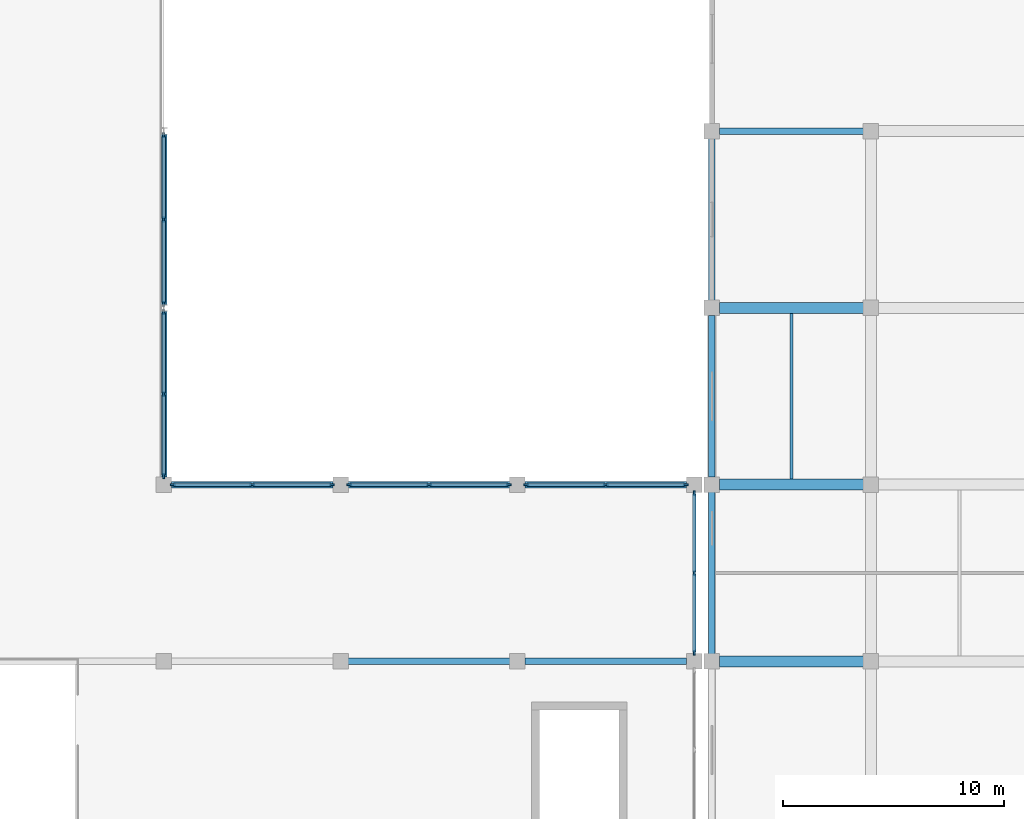
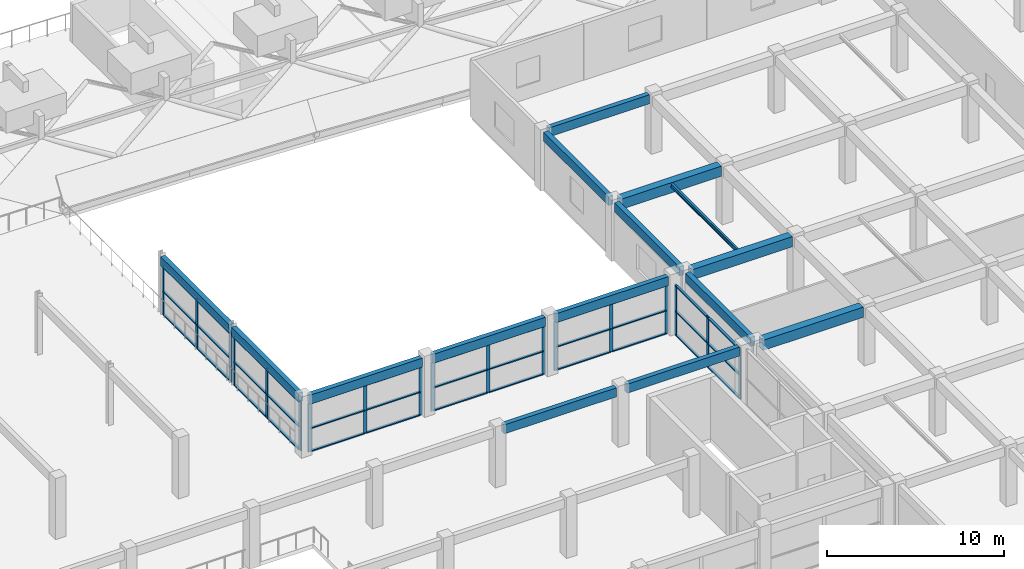
# One storey, part 15 of 67: 54 members, 15 beams, 6 elements without a shape of their own.
"""IFC4 building model written with IfcOpenShell, lengths in metres."""

from ifc_helpers import new_model, si_unit, direction, frame, origin, origin_2d, place, context, subcontext, project, spatial, rectangle, i_section, extrude, material, material_profile, profile_set, type_object, element, aggregate, save


model = new_model("IFC4")

# Units and contexts
model_context = context("Model", 3, precision=1e-05, world=origin(), true_north=direction((0.0, 1.0)))
body_context = subcontext(model_context, "Body", "Model", "MODEL_VIEW")
ifc_project = project(units=[si_unit("LENGTHUNIT", "METRE"), si_unit("AREAUNIT", "SQUARE_METRE"), si_unit("VOLUMEUNIT", "CUBIC_METRE"), si_unit("PLANEANGLEUNIT", "RADIAN"), si_unit("MASSUNIT", "GRAM", prefix="KILO")], contexts=[model_context])

# Site, building, storey
site_placement = place(None, origin())
site = spatial("IfcSite", under=ifc_project, at=site_placement, CompositionType="ELEMENT")
building_placement = place(site_placement, origin())
building = spatial("IfcBuilding", under=site, at=building_placement, Name="Kenh Van Central Station", CompositionType="ELEMENT")
storey_placement = place(building_placement, frame((0.0, 0.0, 10.800048828125)))
storey = spatial("IfcBuildingStorey", under=building, at=storey_placement, Name="L02", CompositionType="ELEMENT", Elevation=10.800048828125)

# Beams
ifc_material_1 = material(Name="Concrete C35/45", Category="concrete")
ifc_material_profile_1 = material_profile(ifc_material_1, rectangle(XDim=0.5, YDim=0.699951171875, at=origin_2d()), Name="RC 500x700")
ifc_profile_set_1 = profile_set([ifc_material_profile_1], Name="Concrete C35/45")
beam_type_1 = type_object("IfcBeamType", Name="BM-RC-500x700", PredefinedType="BEAM", material=ifc_profile_set_1)
for number, where, z_axis, x_axis, name in (
    (1, (121.139892578125, 32.0, 3.635009765625), (1.0, 0.0, 0.0), (0.0, 1.0, 0.0), "L02 beam 0957"),
    (2, (121.139892578125, 40.0, 3.635009765625), (1.0, 0.0, 0.0), (0.0, 1.0, 0.0), "L02 beam 0967"),
    (3, (121.139892578125, 48.0, 3.635009765625), (1.0, 0.0, 0.0), (0.0, 1.0, 0.0), "L02 beam 0974"),
):
    element("IfcBeam", number, at=place(storey_placement, frame(where, z_axis=z_axis, x_axis=x_axis)), inside=storey, type_object=beam_type_1, Name=name, PredefinedType="BEAM", context=body_context, shape_type="SweptSolid", body=[
        extrude(rectangle(XDim=0.5, YDim=0.699951171875, at=origin_2d()), origin(), (0.0, 0.0, 1.0), 6.52001953125),
    ])

# Curtain wall, members
ifc_material_2 = material(Name="Champagne anodised aluminium", Category="aluminium")
curtain_wall_type = type_object("IfcCurtainWallType", Name="CW-CONC-B", PredefinedType="NOTDEFINED", material=ifc_material_2)
curtain_wall_1_placement = place(storey_placement, origin())
curtain_wall_1 = element("IfcCurtainWall", 4, at=curtain_wall_1_placement, inside=storey, type_object=curtain_wall_type, Name="L02 curtain wall 175", PredefinedType="NOTDEFINED")
ifc_material_profile_2 = material_profile(ifc_material_2, rectangle(XDim=0.0849609375, YDim=0.23193359375, at=origin_2d()), Name="AL 85x232")
ifc_profile_set_2 = profile_set([ifc_material_profile_2], Name="Champagne anodised aluminium")
member_type_1 = type_object("IfcMemberType", Name="CWM-65x160", PredefinedType="MULLION", material=ifc_profile_set_2)
member_1_placement = place(storey_placement, frame((96.0, 40.392578125, 0.0), z_axis=(0.0, 0.0, 1.0), x_axis=(-1.0, 0.0, 0.0)))
member_1 = element("IfcMember", 5, at=member_1_placement, type_object=member_type_1, Name="CW-04 mullion 1", PredefinedType="MULLION", context=body_context, shape_type="SweptSolid", body=[
    extrude(rectangle(XDim=0.0849609375, YDim=0.23193359375, at=origin_2d()), origin(), (0.0, 0.0, 1.0), 3.35986328125),
])
member_2_placement = place(storey_placement, frame((96.0, 44.10009765625, 0.0), z_axis=(0.0, 0.0, 1.0), x_axis=(-1.0, 0.0, 0.0)))
member_2 = element("IfcMember", 6, at=member_2_placement, type_object=member_type_1, Name="CW-04 mullion 2", PredefinedType="MULLION", context=body_context, shape_type="SweptSolid", body=[
    extrude(rectangle(XDim=0.0849609375, YDim=0.23193359375, at=origin_2d()), origin(), (0.0, 0.0, 1.0), 3.35986328125),
])
member_3_placement = place(storey_placement, frame((96.0, 47.8076171875, 0.0), z_axis=(0.0, 0.0, 1.0), x_axis=(-1.0, 0.0, 0.0)))
member_3 = element("IfcMember", 7, at=member_3_placement, type_object=member_type_1, Name="CW-04 mullion 3", PredefinedType="MULLION", context=body_context, shape_type="SweptSolid", body=[
    extrude(rectangle(XDim=0.0849609375, YDim=0.23193359375, at=origin_2d()), origin(), (0.0, 0.0, 1.0), 3.35986328125),
])

curtain_wall_2_placement = place(storey_placement, origin())
curtain_wall_2 = element("IfcCurtainWall", 8, at=curtain_wall_2_placement, inside=storey, type_object=curtain_wall_type, Name="L02 curtain wall 176", PredefinedType="NOTDEFINED")
member_4_placement = place(storey_placement, frame((96.0, 48.1923828125, 0.0), z_axis=(0.0, 0.0, 1.0), x_axis=(-1.0, 0.0, 0.0)))
member_4 = element("IfcMember", 9, at=member_4_placement, type_object=member_type_1, Name="CW-04 mullion 1", PredefinedType="MULLION", context=body_context, shape_type="SweptSolid", body=[
    extrude(rectangle(XDim=0.0849609375, YDim=0.23193359375, at=origin_2d()), origin(), (0.0, 0.0, 1.0), 3.35986328125),
])
member_5_placement = place(storey_placement, frame((96.0, 52.0, 0.0), z_axis=(0.0, 0.0, 1.0), x_axis=(-1.0, 0.0, 0.0)))
member_5 = element("IfcMember", 10, at=member_5_placement, type_object=member_type_1, Name="CW-04 mullion 2", PredefinedType="MULLION", context=body_context, shape_type="SweptSolid", body=[
    extrude(rectangle(XDim=0.0849609375, YDim=0.23193359375, at=origin_2d()), origin(), (0.0, 0.0, 1.0), 3.35986328125),
])
member_6_placement = place(storey_placement, frame((96.0, 55.8076171875, 0.0), z_axis=(0.0, 0.0, 1.0), x_axis=(-1.0, 0.0, 0.0)))
member_6 = element("IfcMember", 11, at=member_6_placement, type_object=member_type_1, Name="CW-04 mullion 3", PredefinedType="MULLION", context=body_context, shape_type="SweptSolid", body=[
    extrude(rectangle(XDim=0.0849609375, YDim=0.23193359375, at=origin_2d()), origin(), (0.0, 0.0, 1.0), 3.35986328125),
])

curtain_wall_3_placement = place(storey_placement, origin())
curtain_wall_3 = element("IfcCurtainWall", 12, at=curtain_wall_3_placement, inside=storey, type_object=curtain_wall_type, Name="L02 curtain wall 170", PredefinedType="NOTDEFINED")
ifc_material_profile_3 = material_profile(ifc_material_2, rectangle(XDim=0.08203125, YDim=0.22509765625, at=origin_2d()), Name="AL 82x225")
ifc_profile_set_3 = profile_set([ifc_material_profile_3], Name="Champagne anodised aluminium")
member_type_2 = type_object("IfcMemberType", Name="CWM-70x180", PredefinedType="MULLION", material=ifc_profile_set_3)
member_7_placement = place(storey_placement, frame((119.60888671875, 40.0, 0.0), z_axis=(0.0, 0.0, 1.0), x_axis=(0.0, -1.0, 0.0)))
member_7 = element("IfcMember", 13, at=member_7_placement, type_object=member_type_2, Name="CW-04 mullion 1", PredefinedType="MULLION", context=body_context, shape_type="SweptSolid", body=[
    extrude(rectangle(XDim=0.08203125, YDim=0.22509765625, at=origin_2d()), origin(), (0.0, 0.0, 1.0), 3.35986328125),
])
member_8_placement = place(storey_placement, frame((116.0, 40.0, 0.0), z_axis=(0.0, 0.0, 1.0), x_axis=(0.0, -1.0, 0.0)))
member_8 = element("IfcMember", 14, at=member_8_placement, type_object=member_type_2, Name="CW-04 mullion 2", PredefinedType="MULLION", context=body_context, shape_type="SweptSolid", body=[
    extrude(rectangle(XDim=0.08203125, YDim=0.22509765625, at=origin_2d()), origin(), (0.0, 0.0, 1.0), 3.35986328125),
])
member_9_placement = place(storey_placement, frame((112.39111328125, 40.0, 0.0), z_axis=(0.0, 0.0, 1.0), x_axis=(0.0, -1.0, 0.0)))
member_9 = element("IfcMember", 15, at=member_9_placement, type_object=member_type_2, Name="CW-04 mullion 3", PredefinedType="MULLION", context=body_context, shape_type="SweptSolid", body=[
    extrude(rectangle(XDim=0.08203125, YDim=0.22509765625, at=origin_2d()), origin(), (0.0, 0.0, 1.0), 3.35986328125),
])

curtain_wall_4_placement = place(storey_placement, origin())
curtain_wall_4 = element("IfcCurtainWall", 16, at=curtain_wall_4_placement, inside=storey, type_object=curtain_wall_type, Name="L02 curtain wall 171", PredefinedType="NOTDEFINED")
member_10_placement = place(storey_placement, frame((111.60888671875, 40.0, 0.0), z_axis=(0.0, 0.0, 1.0), x_axis=(0.0, -1.0, 0.0)))
member_10 = element("IfcMember", 17, at=member_10_placement, type_object=member_type_2, Name="CW-04 mullion 1", PredefinedType="MULLION", context=body_context, shape_type="SweptSolid", body=[
    extrude(rectangle(XDim=0.08203125, YDim=0.22509765625, at=origin_2d()), origin(), (0.0, 0.0, 1.0), 3.35986328125),
])
member_11_placement = place(storey_placement, frame((108.0, 40.0, 0.0), z_axis=(0.0, 0.0, 1.0), x_axis=(0.0, -1.0, 0.0)))
member_11 = element("IfcMember", 18, at=member_11_placement, type_object=member_type_2, Name="CW-04 mullion 2", PredefinedType="MULLION", context=body_context, shape_type="SweptSolid", body=[
    extrude(rectangle(XDim=0.08203125, YDim=0.22509765625, at=origin_2d()), origin(), (0.0, 0.0, 1.0), 3.35986328125),
])
member_12_placement = place(storey_placement, frame((104.39111328125, 40.0, 0.0), z_axis=(0.0, 0.0, 1.0), x_axis=(0.0, -1.0, 0.0)))
member_12 = element("IfcMember", 19, at=member_12_placement, type_object=member_type_2, Name="CW-04 mullion 3", PredefinedType="MULLION", context=body_context, shape_type="SweptSolid", body=[
    extrude(rectangle(XDim=0.08203125, YDim=0.22509765625, at=origin_2d()), origin(), (0.0, 0.0, 1.0), 3.35986328125),
])

curtain_wall_5_placement = place(storey_placement, origin())
curtain_wall_5 = element("IfcCurtainWall", 20, at=curtain_wall_5_placement, inside=storey, type_object=curtain_wall_type, Name="L02 curtain wall 172", PredefinedType="NOTDEFINED")
member_13_placement = place(storey_placement, frame((103.60888671875, 40.0, 0.0), z_axis=(0.0, 0.0, 1.0), x_axis=(0.0, -1.0, 0.0)))
member_13 = element("IfcMember", 21, at=member_13_placement, type_object=member_type_2, Name="CW-04 mullion 1", PredefinedType="MULLION", context=body_context, shape_type="SweptSolid", body=[
    extrude(rectangle(XDim=0.08203125, YDim=0.22509765625, at=origin_2d()), origin(), (0.0, 0.0, 1.0), 3.35986328125),
])
member_14_placement = place(storey_placement, frame((100.0, 40.0, 0.0), z_axis=(0.0, 0.0, 1.0), x_axis=(0.0, -1.0, 0.0)))
member_14 = element("IfcMember", 22, at=member_14_placement, type_object=member_type_2, Name="CW-04 mullion 2", PredefinedType="MULLION", context=body_context, shape_type="SweptSolid", body=[
    extrude(rectangle(XDim=0.08203125, YDim=0.22509765625, at=origin_2d()), origin(), (0.0, 0.0, 1.0), 3.35986328125),
])
member_15_placement = place(storey_placement, frame((96.39111328125, 40.0, 0.0), z_axis=(0.0, 0.0, 1.0), x_axis=(0.0, -1.0, 0.0)))
member_15 = element("IfcMember", 23, at=member_15_placement, type_object=member_type_2, Name="CW-04 mullion 3", PredefinedType="MULLION", context=body_context, shape_type="SweptSolid", body=[
    extrude(rectangle(XDim=0.08203125, YDim=0.22509765625, at=origin_2d()), origin(), (0.0, 0.0, 1.0), 3.35986328125),
])

curtain_wall_6_placement = place(storey_placement, origin())
curtain_wall_6 = element("IfcCurtainWall", 24, at=curtain_wall_6_placement, inside=storey, type_object=curtain_wall_type, Name="L02 curtain wall 179", PredefinedType="NOTDEFINED")
member_16_placement = place(storey_placement, frame((120.0, 32.39111328125, 0.0), z_axis=(0.0, 0.0, 1.0), x_axis=(-1.0, 0.0, 0.0)))
member_16 = element("IfcMember", 25, at=member_16_placement, type_object=member_type_2, Name="CW-04 mullion 1", PredefinedType="MULLION", context=body_context, shape_type="SweptSolid", body=[
    extrude(rectangle(XDim=0.08203125, YDim=0.22509765625, at=origin_2d()), origin(), (0.0, 0.0, 1.0), 3.443359375),
])
member_17_placement = place(storey_placement, frame((120.0, 36.0, 0.0), z_axis=(0.0, 0.0, 1.0), x_axis=(-1.0, 0.0, 0.0)))
member_17 = element("IfcMember", 26, at=member_17_placement, type_object=member_type_2, Name="CW-04 mullion 2", PredefinedType="MULLION", context=body_context, shape_type="SweptSolid", body=[
    extrude(rectangle(XDim=0.08203125, YDim=0.22509765625, at=origin_2d()), origin(), (0.0, 0.0, 1.0), 3.443359375),
])
member_18_placement = place(storey_placement, frame((120.0, 39.60888671875, 0.0), z_axis=(0.0, 0.0, 1.0), x_axis=(-1.0, 0.0, 0.0)))
member_18 = element("IfcMember", 27, at=member_18_placement, type_object=member_type_2, Name="CW-04 mullion 3", PredefinedType="MULLION", context=body_context, shape_type="SweptSolid", body=[
    extrude(rectangle(XDim=0.08203125, YDim=0.22509765625, at=origin_2d()), origin(), (0.0, 0.0, 1.0), 3.443359375),
])

# Member
ifc_material_profile_4 = material_profile(ifc_material_2, rectangle(XDim=0.155029296875, YDim=0.072021484375, at=origin_2d()), Name="AL 155x72")
ifc_profile_set_4 = profile_set([ifc_material_profile_4], Name="Champagne anodised aluminium")
member_type_3 = type_object("IfcMemberType", Name="CWT-120x60", PredefinedType="USERDEFINED", material=ifc_profile_set_4)
member_19_placement = place(storey_placement, frame((119.568115234375, 40.0, 0.035888671875), z_axis=(-1.0, 0.0, 0.0), x_axis=(0.0, -1.0, 0.0)))
member_19 = element("IfcMember", 28, at=member_19_placement, type_object=member_type_3, Name="CW-04 transom 1.1", ObjectType="TRANSOM", PredefinedType="USERDEFINED", context=body_context, shape_type="SweptSolid", body=[
    extrude(rectangle(XDim=0.155029296875, YDim=0.072021484375, at=origin_2d()), origin(), (0.0, 0.0, 1.0), 3.527099609375),
])

member_20_placement = place(storey_placement, frame((119.568115234375, 40.0, 1.61279296875), z_axis=(-1.0, 0.0, 0.0), x_axis=(0.0, -1.0, 0.0)))
member_20 = element("IfcMember", 29, at=member_20_placement, type_object=member_type_3, Name="CW-04 transom 1.2", ObjectType="TRANSOM", PredefinedType="USERDEFINED", context=body_context, shape_type="SweptSolid", body=[
    extrude(rectangle(XDim=0.155029296875, YDim=0.072021484375, at=origin_2d()), origin(), (0.0, 0.0, 1.0), 3.527099609375),
])

member_21_placement = place(storey_placement, frame((119.568115234375, 40.0, 3.323974609375), z_axis=(-1.0, 0.0, 0.0), x_axis=(0.0, -1.0, 0.0)))
member_21 = element("IfcMember", 30, at=member_21_placement, type_object=member_type_3, Name="CW-04 transom 1.3", ObjectType="TRANSOM", PredefinedType="USERDEFINED", context=body_context, shape_type="SweptSolid", body=[
    extrude(rectangle(XDim=0.155029296875, YDim=0.072021484375, at=origin_2d()), origin(), (0.0, 0.0, 1.0), 3.527099609375),
])

member_22_placement = place(storey_placement, frame((115.958984375, 40.0, 0.035888671875), z_axis=(-1.0, 0.0, 0.0), x_axis=(0.0, -1.0, 0.0)))
member_22 = element("IfcMember", 31, at=member_22_placement, type_object=member_type_3, Name="CW-04 transom 2.1", ObjectType="TRANSOM", PredefinedType="USERDEFINED", context=body_context, shape_type="SweptSolid", body=[
    extrude(rectangle(XDim=0.155029296875, YDim=0.072021484375, at=origin_2d()), origin(), (0.0, 0.0, 1.0), 3.527099609375),
])

member_23_placement = place(storey_placement, frame((115.958984375, 40.0, 1.61279296875), z_axis=(-1.0, 0.0, 0.0), x_axis=(0.0, -1.0, 0.0)))
member_23 = element("IfcMember", 32, at=member_23_placement, type_object=member_type_3, Name="CW-04 transom 2.2", ObjectType="TRANSOM", PredefinedType="USERDEFINED", context=body_context, shape_type="SweptSolid", body=[
    extrude(rectangle(XDim=0.155029296875, YDim=0.072021484375, at=origin_2d()), origin(), (0.0, 0.0, 1.0), 3.527099609375),
])

member_24_placement = place(storey_placement, frame((115.958984375, 40.0, 3.323974609375), z_axis=(-1.0, 0.0, 0.0), x_axis=(0.0, -1.0, 0.0)))
member_24 = element("IfcMember", 33, at=member_24_placement, type_object=member_type_3, Name="CW-04 transom 2.3", ObjectType="TRANSOM", PredefinedType="USERDEFINED", context=body_context, shape_type="SweptSolid", body=[
    extrude(rectangle(XDim=0.155029296875, YDim=0.072021484375, at=origin_2d()), origin(), (0.0, 0.0, 1.0), 3.527099609375),
])

aggregate(curtain_wall_3, [member_7, member_8, member_9, member_19, member_20, member_21, member_22, member_23, member_24])

member_25_placement = place(storey_placement, frame((111.568115234375, 40.0, 0.035888671875), z_axis=(-1.0, 0.0, 0.0), x_axis=(0.0, -1.0, 0.0)))
member_25 = element("IfcMember", 34, at=member_25_placement, type_object=member_type_3, Name="CW-04 transom 1.1", ObjectType="TRANSOM", PredefinedType="USERDEFINED", context=body_context, shape_type="SweptSolid", body=[
    extrude(rectangle(XDim=0.155029296875, YDim=0.072021484375, at=origin_2d()), origin(), (0.0, 0.0, 1.0), 3.527099609375),
])

member_26_placement = place(storey_placement, frame((111.568115234375, 40.0, 1.61279296875), z_axis=(-1.0, 0.0, 0.0), x_axis=(0.0, -1.0, 0.0)))
member_26 = element("IfcMember", 35, at=member_26_placement, type_object=member_type_3, Name="CW-04 transom 1.2", ObjectType="TRANSOM", PredefinedType="USERDEFINED", context=body_context, shape_type="SweptSolid", body=[
    extrude(rectangle(XDim=0.155029296875, YDim=0.072021484375, at=origin_2d()), origin(), (0.0, 0.0, 1.0), 3.527099609375),
])

member_27_placement = place(storey_placement, frame((111.568115234375, 40.0, 3.323974609375), z_axis=(-1.0, 0.0, 0.0), x_axis=(0.0, -1.0, 0.0)))
member_27 = element("IfcMember", 36, at=member_27_placement, type_object=member_type_3, Name="CW-04 transom 1.3", ObjectType="TRANSOM", PredefinedType="USERDEFINED", context=body_context, shape_type="SweptSolid", body=[
    extrude(rectangle(XDim=0.155029296875, YDim=0.072021484375, at=origin_2d()), origin(), (0.0, 0.0, 1.0), 3.527099609375),
])

member_28_placement = place(storey_placement, frame((107.958984375, 40.0, 0.035888671875), z_axis=(-1.0, 0.0, 0.0), x_axis=(0.0, -1.0, 0.0)))
member_28 = element("IfcMember", 37, at=member_28_placement, type_object=member_type_3, Name="CW-04 transom 2.1", ObjectType="TRANSOM", PredefinedType="USERDEFINED", context=body_context, shape_type="SweptSolid", body=[
    extrude(rectangle(XDim=0.155029296875, YDim=0.072021484375, at=origin_2d()), origin(), (0.0, 0.0, 1.0), 3.527099609375),
])

member_29_placement = place(storey_placement, frame((107.958984375, 40.0, 1.61279296875), z_axis=(-1.0, 0.0, 0.0), x_axis=(0.0, -1.0, 0.0)))
member_29 = element("IfcMember", 38, at=member_29_placement, type_object=member_type_3, Name="CW-04 transom 2.2", ObjectType="TRANSOM", PredefinedType="USERDEFINED", context=body_context, shape_type="SweptSolid", body=[
    extrude(rectangle(XDim=0.155029296875, YDim=0.072021484375, at=origin_2d()), origin(), (0.0, 0.0, 1.0), 3.527099609375),
])

member_30_placement = place(storey_placement, frame((107.958984375, 40.0, 3.323974609375), z_axis=(-1.0, 0.0, 0.0), x_axis=(0.0, -1.0, 0.0)))
member_30 = element("IfcMember", 39, at=member_30_placement, type_object=member_type_3, Name="CW-04 transom 2.3", ObjectType="TRANSOM", PredefinedType="USERDEFINED", context=body_context, shape_type="SweptSolid", body=[
    extrude(rectangle(XDim=0.155029296875, YDim=0.072021484375, at=origin_2d()), origin(), (0.0, 0.0, 1.0), 3.527099609375),
])

aggregate(curtain_wall_4, [member_10, member_11, member_12, member_25, member_26, member_27, member_28, member_29, member_30])

member_31_placement = place(storey_placement, frame((103.568115234375, 40.0, 0.035888671875), z_axis=(-1.0, 0.0, 0.0), x_axis=(0.0, -1.0, 0.0)))
member_31 = element("IfcMember", 40, at=member_31_placement, type_object=member_type_3, Name="CW-04 transom 1.1", ObjectType="TRANSOM", PredefinedType="USERDEFINED", context=body_context, shape_type="SweptSolid", body=[
    extrude(rectangle(XDim=0.155029296875, YDim=0.072021484375, at=origin_2d()), origin(), (0.0, 0.0, 1.0), 3.527099609375),
])

member_32_placement = place(storey_placement, frame((103.568115234375, 40.0, 1.61279296875), z_axis=(-1.0, 0.0, 0.0), x_axis=(0.0, -1.0, 0.0)))
member_32 = element("IfcMember", 41, at=member_32_placement, type_object=member_type_3, Name="CW-04 transom 1.2", ObjectType="TRANSOM", PredefinedType="USERDEFINED", context=body_context, shape_type="SweptSolid", body=[
    extrude(rectangle(XDim=0.155029296875, YDim=0.072021484375, at=origin_2d()), origin(), (0.0, 0.0, 1.0), 3.527099609375),
])

member_33_placement = place(storey_placement, frame((103.568115234375, 40.0, 3.323974609375), z_axis=(-1.0, 0.0, 0.0), x_axis=(0.0, -1.0, 0.0)))
member_33 = element("IfcMember", 42, at=member_33_placement, type_object=member_type_3, Name="CW-04 transom 1.3", ObjectType="TRANSOM", PredefinedType="USERDEFINED", context=body_context, shape_type="SweptSolid", body=[
    extrude(rectangle(XDim=0.155029296875, YDim=0.072021484375, at=origin_2d()), origin(), (0.0, 0.0, 1.0), 3.527099609375),
])

member_34_placement = place(storey_placement, frame((99.958984375, 40.0, 0.035888671875), z_axis=(-1.0, 0.0, 0.0), x_axis=(0.0, -1.0, 0.0)))
member_34 = element("IfcMember", 43, at=member_34_placement, type_object=member_type_3, Name="CW-04 transom 2.1", ObjectType="TRANSOM", PredefinedType="USERDEFINED", context=body_context, shape_type="SweptSolid", body=[
    extrude(rectangle(XDim=0.155029296875, YDim=0.072021484375, at=origin_2d()), origin(), (0.0, 0.0, 1.0), 3.527099609375),
])

member_35_placement = place(storey_placement, frame((99.958984375, 40.0, 1.61279296875), z_axis=(-1.0, 0.0, 0.0), x_axis=(0.0, -1.0, 0.0)))
member_35 = element("IfcMember", 44, at=member_35_placement, type_object=member_type_3, Name="CW-04 transom 2.2", ObjectType="TRANSOM", PredefinedType="USERDEFINED", context=body_context, shape_type="SweptSolid", body=[
    extrude(rectangle(XDim=0.155029296875, YDim=0.072021484375, at=origin_2d()), origin(), (0.0, 0.0, 1.0), 3.527099609375),
])

member_36_placement = place(storey_placement, frame((99.958984375, 40.0, 3.323974609375), z_axis=(-1.0, 0.0, 0.0), x_axis=(0.0, -1.0, 0.0)))
member_36 = element("IfcMember", 45, at=member_36_placement, type_object=member_type_3, Name="CW-04 transom 2.3", ObjectType="TRANSOM", PredefinedType="USERDEFINED", context=body_context, shape_type="SweptSolid", body=[
    extrude(rectangle(XDim=0.155029296875, YDim=0.072021484375, at=origin_2d()), origin(), (0.0, 0.0, 1.0), 3.527099609375),
])

aggregate(curtain_wall_5, [member_13, member_14, member_15, member_31, member_32, member_33, member_34, member_35, member_36])

member_37_placement = place(storey_placement, frame((96.0, 40.43505859375, 0.035888671875), z_axis=(0.0, 1.0, 0.0), x_axis=(-1.0, 0.0, 0.0)))
member_37 = element("IfcMember", 46, at=member_37_placement, type_object=member_type_3, Name="CW-04 transom 1.1", ObjectType="TRANSOM", PredefinedType="USERDEFINED", context=body_context, shape_type="SweptSolid", body=[
    extrude(rectangle(XDim=0.155029296875, YDim=0.072021484375, at=origin_2d()), origin(), (0.0, 0.0, 1.0), 3.62255859375),
])

member_38_placement = place(storey_placement, frame((96.0, 40.43505859375, 1.61279296875), z_axis=(0.0, 1.0, 0.0), x_axis=(-1.0, 0.0, 0.0)))
member_38 = element("IfcMember", 47, at=member_38_placement, type_object=member_type_3, Name="CW-04 transom 1.2", ObjectType="TRANSOM", PredefinedType="USERDEFINED", context=body_context, shape_type="SweptSolid", body=[
    extrude(rectangle(XDim=0.155029296875, YDim=0.072021484375, at=origin_2d()), origin(), (0.0, 0.0, 1.0), 3.62255859375),
])

member_39_placement = place(storey_placement, frame((96.0, 40.43505859375, 3.323974609375), z_axis=(0.0, 1.0, 0.0), x_axis=(-1.0, 0.0, 0.0)))
member_39 = element("IfcMember", 48, at=member_39_placement, type_object=member_type_3, Name="CW-04 transom 1.3", ObjectType="TRANSOM", PredefinedType="USERDEFINED", context=body_context, shape_type="SweptSolid", body=[
    extrude(rectangle(XDim=0.155029296875, YDim=0.072021484375, at=origin_2d()), origin(), (0.0, 0.0, 1.0), 3.62255859375),
])

member_40_placement = place(storey_placement, frame((96.0, 44.142578125, 0.035888671875), z_axis=(0.0, 1.0, 0.0), x_axis=(-1.0, 0.0, 0.0)))
member_40 = element("IfcMember", 49, at=member_40_placement, type_object=member_type_3, Name="CW-04 transom 2.1", ObjectType="TRANSOM", PredefinedType="USERDEFINED", context=body_context, shape_type="SweptSolid", body=[
    extrude(rectangle(XDim=0.155029296875, YDim=0.072021484375, at=origin_2d()), origin(), (0.0, 0.0, 1.0), 3.622314453125),
])

member_41_placement = place(storey_placement, frame((96.0, 44.142578125, 1.61279296875), z_axis=(0.0, 1.0, 0.0), x_axis=(-1.0, 0.0, 0.0)))
member_41 = element("IfcMember", 50, at=member_41_placement, type_object=member_type_3, Name="CW-04 transom 2.2", ObjectType="TRANSOM", PredefinedType="USERDEFINED", context=body_context, shape_type="SweptSolid", body=[
    extrude(rectangle(XDim=0.155029296875, YDim=0.072021484375, at=origin_2d()), origin(), (0.0, 0.0, 1.0), 3.622314453125),
])

member_42_placement = place(storey_placement, frame((96.0, 44.142578125, 3.323974609375), z_axis=(0.0, 1.0, 0.0), x_axis=(-1.0, 0.0, 0.0)))
member_42 = element("IfcMember", 51, at=member_42_placement, type_object=member_type_3, Name="CW-04 transom 2.3", ObjectType="TRANSOM", PredefinedType="USERDEFINED", context=body_context, shape_type="SweptSolid", body=[
    extrude(rectangle(XDim=0.155029296875, YDim=0.072021484375, at=origin_2d()), origin(), (0.0, 0.0, 1.0), 3.622314453125),
])

aggregate(curtain_wall_1, [member_1, member_2, member_3, member_37, member_38, member_39, member_40, member_41, member_42])

member_43_placement = place(storey_placement, frame((96.0, 48.235107421875, 0.035888671875), z_axis=(0.0, 1.0, 0.0), x_axis=(-1.0, 0.0, 0.0)))
member_43 = element("IfcMember", 52, at=member_43_placement, type_object=member_type_3, Name="CW-04 transom 1.1", ObjectType="TRANSOM", PredefinedType="USERDEFINED", context=body_context, shape_type="SweptSolid", body=[
    extrude(rectangle(XDim=0.155029296875, YDim=0.072021484375, at=origin_2d()), origin(), (0.0, 0.0, 1.0), 3.722412109375),
])

member_44_placement = place(storey_placement, frame((96.0, 48.235107421875, 1.61279296875), z_axis=(0.0, 1.0, 0.0), x_axis=(-1.0, 0.0, 0.0)))
member_44 = element("IfcMember", 53, at=member_44_placement, type_object=member_type_3, Name="CW-04 transom 1.2", ObjectType="TRANSOM", PredefinedType="USERDEFINED", context=body_context, shape_type="SweptSolid", body=[
    extrude(rectangle(XDim=0.155029296875, YDim=0.072021484375, at=origin_2d()), origin(), (0.0, 0.0, 1.0), 3.722412109375),
])

member_45_placement = place(storey_placement, frame((96.0, 48.235107421875, 3.323974609375), z_axis=(0.0, 1.0, 0.0), x_axis=(-1.0, 0.0, 0.0)))
member_45 = element("IfcMember", 54, at=member_45_placement, type_object=member_type_3, Name="CW-04 transom 1.3", ObjectType="TRANSOM", PredefinedType="USERDEFINED", context=body_context, shape_type="SweptSolid", body=[
    extrude(rectangle(XDim=0.155029296875, YDim=0.072021484375, at=origin_2d()), origin(), (0.0, 0.0, 1.0), 3.722412109375),
])

member_46_placement = place(storey_placement, frame((96.0, 52.04248046875, 0.035888671875), z_axis=(0.0, 1.0, 0.0), x_axis=(-1.0, 0.0, 0.0)))
member_46 = element("IfcMember", 55, at=member_46_placement, type_object=member_type_3, Name="CW-04 transom 2.1", ObjectType="TRANSOM", PredefinedType="USERDEFINED", context=body_context, shape_type="SweptSolid", body=[
    extrude(rectangle(XDim=0.155029296875, YDim=0.072021484375, at=origin_2d()), origin(), (0.0, 0.0, 1.0), 3.722412109375),
])

member_47_placement = place(storey_placement, frame((96.0, 52.04248046875, 1.61279296875), z_axis=(0.0, 1.0, 0.0), x_axis=(-1.0, 0.0, 0.0)))
member_47 = element("IfcMember", 56, at=member_47_placement, type_object=member_type_3, Name="CW-04 transom 2.2", ObjectType="TRANSOM", PredefinedType="USERDEFINED", context=body_context, shape_type="SweptSolid", body=[
    extrude(rectangle(XDim=0.155029296875, YDim=0.072021484375, at=origin_2d()), origin(), (0.0, 0.0, 1.0), 3.722412109375),
])

member_48_placement = place(storey_placement, frame((96.0, 52.04248046875, 3.323974609375), z_axis=(0.0, 1.0, 0.0), x_axis=(-1.0, 0.0, 0.0)))
member_48 = element("IfcMember", 57, at=member_48_placement, type_object=member_type_3, Name="CW-04 transom 2.3", ObjectType="TRANSOM", PredefinedType="USERDEFINED", context=body_context, shape_type="SweptSolid", body=[
    extrude(rectangle(XDim=0.155029296875, YDim=0.072021484375, at=origin_2d()), origin(), (0.0, 0.0, 1.0), 3.722412109375),
])

aggregate(curtain_wall_2, [member_4, member_5, member_6, member_43, member_44, member_45, member_46, member_47, member_48])

member_49_placement = place(storey_placement, frame((120.0, 32.431884765625, 0.035888671875), z_axis=(0.0, 1.0, 0.0), x_axis=(-1.0, 0.0, 0.0)))
member_49 = element("IfcMember", 58, at=member_49_placement, type_object=member_type_3, Name="CW-04 transom 1.1", ObjectType="TRANSOM", PredefinedType="USERDEFINED", context=body_context, shape_type="SweptSolid", body=[
    extrude(rectangle(XDim=0.155029296875, YDim=0.072021484375, at=origin_2d()), origin(), (0.0, 0.0, 1.0), 3.527099609375),
])

member_50_placement = place(storey_placement, frame((120.0, 32.431884765625, 1.65283203125), z_axis=(0.0, 1.0, 0.0), x_axis=(-1.0, 0.0, 0.0)))
member_50 = element("IfcMember", 59, at=member_50_placement, type_object=member_type_3, Name="CW-04 transom 1.2", ObjectType="TRANSOM", PredefinedType="USERDEFINED", context=body_context, shape_type="SweptSolid", body=[
    extrude(rectangle(XDim=0.155029296875, YDim=0.072021484375, at=origin_2d()), origin(), (0.0, 0.0, 1.0), 3.527099609375),
])

member_51_placement = place(storey_placement, frame((120.0, 32.431884765625, 3.4072265625), z_axis=(0.0, 1.0, 0.0), x_axis=(-1.0, 0.0, 0.0)))
member_51 = element("IfcMember", 60, at=member_51_placement, type_object=member_type_3, Name="CW-04 transom 1.3", ObjectType="TRANSOM", PredefinedType="USERDEFINED", context=body_context, shape_type="SweptSolid", body=[
    extrude(rectangle(XDim=0.155029296875, YDim=0.072021484375, at=origin_2d()), origin(), (0.0, 0.0, 1.0), 3.527099609375),
])

member_52_placement = place(storey_placement, frame((120.0, 36.041015625, 0.035888671875), z_axis=(0.0, 1.0, 0.0), x_axis=(-1.0, 0.0, 0.0)))
member_52 = element("IfcMember", 61, at=member_52_placement, type_object=member_type_3, Name="CW-04 transom 2.1", ObjectType="TRANSOM", PredefinedType="USERDEFINED", context=body_context, shape_type="SweptSolid", body=[
    extrude(rectangle(XDim=0.155029296875, YDim=0.072021484375, at=origin_2d()), origin(), (0.0, 0.0, 1.0), 3.527099609375),
])

member_53_placement = place(storey_placement, frame((120.0, 36.041015625, 1.65283203125), z_axis=(0.0, 1.0, 0.0), x_axis=(-1.0, 0.0, 0.0)))
member_53 = element("IfcMember", 62, at=member_53_placement, type_object=member_type_3, Name="CW-04 transom 2.2", ObjectType="TRANSOM", PredefinedType="USERDEFINED", context=body_context, shape_type="SweptSolid", body=[
    extrude(rectangle(XDim=0.155029296875, YDim=0.072021484375, at=origin_2d()), origin(), (0.0, 0.0, 1.0), 3.527099609375),
])

member_54_placement = place(storey_placement, frame((120.0, 36.041015625, 3.4072265625), z_axis=(0.0, 1.0, 0.0), x_axis=(-1.0, 0.0, 0.0)))
member_54 = element("IfcMember", 63, at=member_54_placement, type_object=member_type_3, Name="CW-04 transom 2.3", ObjectType="TRANSOM", PredefinedType="USERDEFINED", context=body_context, shape_type="SweptSolid", body=[
    extrude(rectangle(XDim=0.155029296875, YDim=0.072021484375, at=origin_2d()), origin(), (0.0, 0.0, 1.0), 3.527099609375),
])

aggregate(curtain_wall_6, [member_16, member_17, member_18, member_49, member_50, member_51, member_52, member_53, member_54])

# Beams
ifc_material_3 = material(Name="Steel S355", Category="steel")
ifc_material_profile_5 = material_profile(ifc_material_3, i_section(OverallWidth=0.135009765625, OverallDepth=0.27001953125, WebThickness=0.006591796875, FlangeThickness=0.01025390625, FilletRadius=0.014892578125, at=origin_2d()), Name="IPE 270")
ifc_profile_set_5 = profile_set([ifc_material_profile_5], Name="Steel S355")
beam_type_2 = type_object("IfcBeamType", Name="JST-STL-IPE270", PredefinedType="JOIST", material=ifc_profile_set_5)
beam_1_placement = place(storey_placement, frame((124.39990234375, 40.25, 3.849853515625), z_axis=(0.0, 1.0, 0.0), x_axis=(-1.0, 0.0, 0.0)))
element("IfcBeam", 64, at=beam_1_placement, inside=storey, type_object=beam_type_2, Name="L02 floor joist 1092", PredefinedType="JOIST", context=body_context, shape_type="SweptSolid", body=[
    extrude(i_section(OverallWidth=0.135009765625, OverallDepth=0.27001953125, WebThickness=0.006591796875, FlangeThickness=0.01025390625, FilletRadius=0.014892578125, at=origin_2d()), origin(), (0.0, 0.0, 1.0), 7.5),
])
ifc_material_profile_6 = material_profile(ifc_material_1, rectangle(XDim=0.300048828125, YDim=0.6201171875, at=origin_2d()), Name="RC 300x620")
ifc_profile_set_6 = profile_set([ifc_material_profile_6], Name="Concrete C35/45")
beam_type_3 = type_object("IfcBeamType", Name="SPD-RC-300x620", PredefinedType="SPANDREL", material=ifc_profile_set_6)
for number, where, z_axis, x_axis, name in (
    (65, (104.340087890625, 32.0, 3.669921875), (1.0, 0.0, 0.0), (0.0, 1.0, 0.0), "L02 beam 0955"),
    (66, (112.340087890625, 32.0, 3.669921875), (1.0, 0.0, 0.0), (0.0, 1.0, 0.0), "L02 beam 0956"),
    (67, (96.340087890625, 40.0, 3.669921875), (1.0, 0.0, 0.0), (0.0, 1.0, 0.0), "L02 beam 0964"),
    (68, (104.340087890625, 40.0, 3.669921875), (1.0, 0.0, 0.0), (0.0, 1.0, 0.0), "L02 beam 0965"),
    (69, (112.340087890625, 40.0, 3.669921875), (1.0, 0.0, 0.0), (0.0, 1.0, 0.0), "L02 beam 0966"),
):
    element("IfcBeam", number, at=place(storey_placement, frame(where, z_axis=z_axis, x_axis=x_axis)), inside=storey, type_object=beam_type_3, Name=name, PredefinedType="SPANDREL", context=body_context, shape_type="SweptSolid", body=[
        extrude(rectangle(XDim=0.300048828125, YDim=0.6201171875, at=origin_2d()), origin(), (0.0, 0.0, 1.0), 7.31982421875),
    ])
beam_2_placement = place(storey_placement, frame((121.139892578125, 56.0, 3.675048828125), z_axis=(1.0, 0.0, 0.0), x_axis=(0.0, 1.0, 0.0)))
element("IfcBeam", 70, at=beam_2_placement, inside=storey, type_object=beam_type_3, Name="L02 beam 0981", PredefinedType="SPANDREL", context=body_context, shape_type="SweptSolid", body=[
    extrude(rectangle(XDim=0.300048828125, YDim=0.6201171875, at=origin_2d()), origin(), (0.0, 0.0, 1.0), 6.52001953125),
])
beam_3_placement = place(storey_placement, frame((96.0, 40.340087890625, 3.669921875), z_axis=(0.0, 1.0, 0.0), x_axis=(-1.0, 0.0, 0.0)))
element("IfcBeam", 71, at=beam_3_placement, inside=storey, type_object=beam_type_3, Name="L02 beam 1028", PredefinedType="SPANDREL", context=body_context, shape_type="SweptSolid", body=[
    extrude(rectangle(XDim=0.300048828125, YDim=0.6201171875, at=origin_2d()), origin(), (0.0, 0.0, 1.0), 7.52001953125),
])
beam_4_placement = place(storey_placement, frame((96.0, 48.139892578125, 3.669921875), z_axis=(0.0, 1.0, 0.0), x_axis=(-1.0, 0.0, 0.0)))
element("IfcBeam", 72, at=beam_4_placement, inside=storey, type_object=beam_type_3, Name="L02 beam 1029", PredefinedType="SPANDREL", context=body_context, shape_type="SweptSolid", body=[
    extrude(rectangle(XDim=0.300048828125, YDim=0.6201171875, at=origin_2d()), origin(), (0.0, 0.0, 1.0), 7.72021484375),
])
for number, where, z_axis, x_axis, name in (
    (73, (120.800048828125, 32.340087890625, 3.675048828125), (0.0, 1.0, 0.0), (-1.0, 0.0, 0.0), "L02 beam 1033"),
    (74, (120.800048828125, 40.340087890625, 3.675048828125), (0.0, 1.0, 0.0), (-1.0, 0.0, 0.0), "L02 beam 1034"),
    (75, (120.800048828125, 48.340087890625, 3.669921875), (0.0, 1.0, 0.0), (-1.0, 0.0, 0.0), "L02 beam 1035"),
):
    element("IfcBeam", number, at=place(storey_placement, frame(where, z_axis=z_axis, x_axis=x_axis)), inside=storey, type_object=beam_type_3, Name=name, PredefinedType="SPANDREL", context=body_context, shape_type="SweptSolid", body=[
        extrude(rectangle(XDim=0.300048828125, YDim=0.6201171875, at=origin_2d()), origin(), (0.0, 0.0, 1.0), 7.31982421875),
    ])

save(model, "model.ifc")
